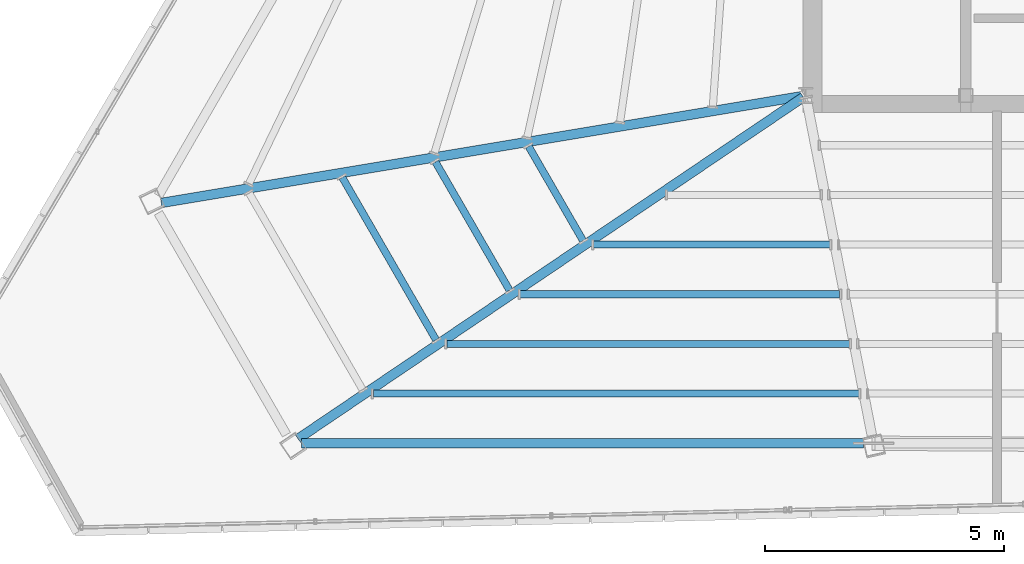
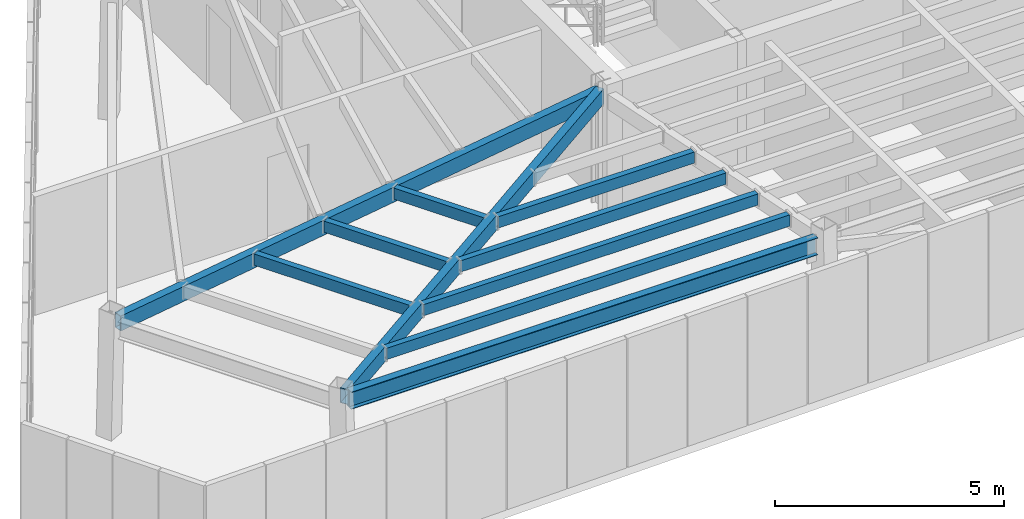
# One storey, part 6 of 47: 10 beams.
"""IFC4 building model written with IfcOpenShell, lengths in metres."""

from ifc_helpers import new_model, si_unit, direction, frame, origin, origin_2d, place, context, subcontext, project, spatial, hollow_rectangle, i_section, extrude, source, transform, mapped, material, material_profile, profile_set, type_object, type_shapes, element, save


model = new_model("IFC4")

# Units and contexts
model_context = context("Model", 3, precision=1e-05, world=origin(), true_north=direction((0.0, 1.0)))
body_context = subcontext(model_context, "Body", "Model", "MODEL_VIEW")
ifc_project = project(units=[si_unit("LENGTHUNIT", "METRE"), si_unit("AREAUNIT", "SQUARE_METRE"), si_unit("VOLUMEUNIT", "CUBIC_METRE"), si_unit("PLANEANGLEUNIT", "RADIAN"), si_unit("MASSUNIT", "GRAM", prefix="KILO")], contexts=[model_context])

# Site, building, storey
site_placement = place(None, origin())
site = spatial("IfcSite", under=ifc_project, at=site_placement, CompositionType="ELEMENT")
building_placement = place(site_placement, origin())
building = spatial("IfcBuilding", under=site, at=building_placement, Name="Caelisora Broadcast Tower", CompositionType="ELEMENT")
storey_placement = place(building_placement, frame((0.0, 0.0, 293.199951171875)))
storey = spatial("IfcBuildingStorey", under=building, at=storey_placement, Name="L77", CompositionType="ELEMENT", Elevation=293.199951171875)

# Beams
ifc_material_1 = material(Name="Steel Grade 350 (AS/NZS 1163 C350L0)", Category="steel")
ifc_material_profile_1 = material_profile(ifc_material_1, hollow_rectangle(XDim=0.199951171875, YDim=0.39990234375, WallThickness=0.012451171875, at=origin_2d()), Name="Steel Grade 350 (AS/NZS 1163 C350L0)")
ifc_profile_set_1 = profile_set([ifc_material_profile_1], Name="Steel Grade 350 (AS/NZS 1163 C350L0)")
beam_type_1 = type_object("IfcBeamType", Name="PG07", PredefinedType="BEAM", material=ifc_profile_set_1)
shared_shape_1 = source(origin(), body_context, "Body", "SweptSolid", [
    extrude(hollow_rectangle(XDim=0.199951171875, YDim=0.39990234375, WallThickness=0.012451171875, at=origin_2d()), origin(), (0.0, 0.0, 1.0), 12.7548828125),
])
beam_1_placement = place(storey_placement, frame((30.4501953125, 17.366455078125, 2.949951171875), z_axis=(-0.828422384229, -0.560103877248, 0.0), x_axis=(0.560103877248, -0.828422384229, 0.0)))
element("IfcBeam", 1, at=beam_1_placement, inside=storey, type_object=beam_type_1, Name="L77 beam PG07", PredefinedType="BEAM", context=body_context, shape_type="MappedRepresentation", body=[
    mapped(shared_shape_1, transform((0.0, 0.0, 0.0), scale=1.0)),
])
ifc_material_2 = material(Name="Steel Grade 350 (AS/NZS 3679.1)", Category="steel")
ifc_material_profile_2 = material_profile(ifc_material_2, i_section(OverallWidth=0.19091796875, OverallDepth=0.46044921875, WebThickness=0.010009765625, FlangeThickness=0.01611328125, at=origin_2d()), Name="Steel Grade 350 (AS/NZS 3679.1)")
ifc_profile_set_2 = profile_set([ifc_material_profile_2], Name="Steel Grade 350 (AS/NZS 3679.1)")
beam_type_2 = type_object("IfcBeamType", Name="PG06", PredefinedType="BEAM", material=ifc_profile_set_2)
shared_shape_2 = source(origin(), body_context, "Body", "SweptSolid", [
    extrude(i_section(OverallWidth=0.19091796875, OverallDepth=0.46044921875, WebThickness=0.010009765625, FlangeThickness=0.01611328125, at=origin_2d()), origin(), (0.0, 0.0, 1.0), 11.754150390625),
])
type_shapes(beam_type_2, [shared_shape_2])
beam_2_placement = place(storey_placement, frame((19.95263671875, 10.128173828125, 2.919921875), z_axis=(1.0, 0.0, 0.0), x_axis=(0.0, 1.0, 0.0)))
element("IfcBeam", 2, at=beam_2_placement, inside=storey, type_object=beam_type_2, Name="L77 beam PG06", PredefinedType="BEAM", context=body_context, shape_type="MappedRepresentation", body=[
    mapped(shared_shape_2, transform((0.0, 0.0, 0.0), scale=1.0)),
])
shared_shape_3 = source(origin(), body_context, "Body", "SweptSolid", [
    extrude(hollow_rectangle(XDim=0.199951171875, YDim=0.39990234375, WallThickness=0.012451171875, at=origin_2d()), origin(), (0.0, 0.0, 1.0), 13.601318359375),
])
type_shapes(beam_type_1, [shared_shape_1, shared_shape_3])
beam_3_placement = place(storey_placement, frame((30.44091796875, 17.39013671875, 2.949951171875), z_axis=(-0.986393438699, -0.164401898077, 0.0), x_axis=(0.164401898077, -0.986393438699, 0.0)))
element("IfcBeam", 3, at=beam_3_placement, inside=storey, type_object=beam_type_1, Name="L77 beam PG07", PredefinedType="BEAM", context=body_context, shape_type="MappedRepresentation", body=[
    mapped(shared_shape_3, transform((0.0, 0.0, 0.0), scale=1.0)),
])
ifc_material_profile_3 = material_profile(ifc_material_1, hollow_rectangle(XDim=0.14990234375, YDim=0.300048828125, WallThickness=0.010009765625, at=origin_2d()), Name="Steel Grade 350 (AS/NZS 1163 C350L0)")
ifc_profile_set_3 = profile_set([ifc_material_profile_3], Name="Steel Grade 350 (AS/NZS 1163 C350L0)")
beam_type_3 = type_object("IfcBeamType", Name="SB05", PredefinedType="JOIST", material=ifc_profile_set_3)
shared_shape_4 = source(origin(), body_context, "Body", "SweptSolid", [
    extrude(hollow_rectangle(XDim=0.14990234375, YDim=0.300048828125, WallThickness=0.010009765625, at=origin_2d()), origin(), (0.0, 0.0, 1.0), 2.272216796875),
])
beam_4_placement = place(storey_placement, frame((24.705810546875, 16.335693359375, 3.0), z_axis=(0.499964285679, -0.866046022475, 0.0), x_axis=(0.866046022475, 0.499964285679, 0.0)))
element("IfcBeam", 4, at=beam_4_placement, inside=storey, type_object=beam_type_3, Name="L77 beam SB05", PredefinedType="JOIST", context=body_context, shape_type="MappedRepresentation", body=[
    mapped(shared_shape_4, transform((0.0, 0.0, 0.0), scale=1.0)),
])
shared_shape_5 = source(origin(), body_context, "Body", "SweptSolid", [
    extrude(hollow_rectangle(XDim=0.14990234375, YDim=0.300048828125, WallThickness=0.010009765625, at=origin_2d()), origin(), (0.0, 0.0, 1.0), 3.0966796875),
])
beam_5_placement = place(storey_placement, frame((22.757080078125, 16.010986328125, 3.0), z_axis=(0.499988605523, -0.866031982289, 0.0), x_axis=(0.866031982289, 0.499988605523, 0.0)))
element("IfcBeam", 5, at=beam_5_placement, inside=storey, type_object=beam_type_3, Name="L77 beam SB05", PredefinedType="JOIST", context=body_context, shape_type="MappedRepresentation", body=[
    mapped(shared_shape_5, transform((0.0, 0.0, 0.0), scale=1.0)),
])
shared_shape_6 = source(origin(), body_context, "Body", "SweptSolid", [
    extrude(hollow_rectangle(XDim=0.14990234375, YDim=0.300048828125, WallThickness=0.010009765625, at=origin_2d()), origin(), (0.0, 0.0, 1.0), 3.92138671875),
])
beam_6_placement = place(storey_placement, frame((20.808349609375, 15.68603515625, 3.0), z_axis=(0.500002696854, -0.866023846749, 0.0), x_axis=(0.866023846749, 0.500002696854, 0.0)))
element("IfcBeam", 6, at=beam_6_placement, inside=storey, type_object=beam_type_3, Name="L77 beam SB05", PredefinedType="JOIST", context=body_context, shape_type="MappedRepresentation", body=[
    mapped(shared_shape_6, transform((0.0, 0.0, 0.0), scale=1.0)),
])
shared_shape_7 = source(origin(), body_context, "Body", "SweptSolid", [
    extrude(hollow_rectangle(XDim=0.14990234375, YDim=0.300048828125, WallThickness=0.010009765625, at=origin_2d()), origin(), (0.0, 0.0, 1.0), 4.94140625),
])
beam_7_placement = place(storey_placement, frame((26.066162109375, 14.283447265625, 3.0), z_axis=(1.0, 0.0, 0.0), x_axis=(0.0, 1.0, 0.0)))
element("IfcBeam", 7, at=beam_7_placement, inside=storey, type_object=beam_type_3, Name="L77 beam SB05", PredefinedType="JOIST", context=body_context, shape_type="MappedRepresentation", body=[
    mapped(shared_shape_7, transform((0.0, 0.0, 0.0), scale=1.0)),
])
shared_shape_8 = source(origin(), body_context, "Body", "SweptSolid", [
    extrude(hollow_rectangle(XDim=0.14990234375, YDim=0.300048828125, WallThickness=0.010009765625, at=origin_2d()), origin(), (0.0, 0.0, 1.0), 6.68017578125),
])
beam_8_placement = place(storey_placement, frame((24.529541015625, 13.24462890625, 3.0), z_axis=(1.0, 0.0, 0.0), x_axis=(0.0, 1.0, 0.0)))
element("IfcBeam", 8, at=beam_8_placement, inside=storey, type_object=beam_type_3, Name="L77 beam SB05", PredefinedType="JOIST", context=body_context, shape_type="MappedRepresentation", body=[
    mapped(shared_shape_8, transform((0.0, 0.0, 0.0), scale=1.0)),
])
shared_shape_9 = source(origin(), body_context, "Body", "SweptSolid", [
    extrude(hollow_rectangle(XDim=0.14990234375, YDim=0.300048828125, WallThickness=0.010009765625, at=origin_2d()), origin(), (0.0, 0.0, 1.0), 8.41845703125),
])
beam_9_placement = place(storey_placement, frame((22.9931640625, 12.205810546875, 3.0), z_axis=(1.0, 0.0, 0.0), x_axis=(0.0, 1.0, 0.0)))
element("IfcBeam", 9, at=beam_9_placement, inside=storey, type_object=beam_type_3, Name="L77 beam SB05", PredefinedType="JOIST", context=body_context, shape_type="MappedRepresentation", body=[
    mapped(shared_shape_9, transform((0.0, 0.0, 0.0), scale=1.0)),
])
shared_shape_10 = source(origin(), body_context, "Body", "SweptSolid", [
    extrude(hollow_rectangle(XDim=0.14990234375, YDim=0.300048828125, WallThickness=0.010009765625, at=origin_2d()), origin(), (0.0, 0.0, 1.0), 10.1572265625),
])
type_shapes(beam_type_3, [shared_shape_4, shared_shape_5, shared_shape_6, shared_shape_7, shared_shape_8, shared_shape_9, shared_shape_10])
beam_10_placement = place(storey_placement, frame((21.456787109375, 11.1669921875, 3.0), z_axis=(1.0, 0.0, 0.0), x_axis=(0.0, 1.0, 0.0)))
element("IfcBeam", 10, at=beam_10_placement, inside=storey, type_object=beam_type_3, Name="L77 beam SB05", PredefinedType="JOIST", context=body_context, shape_type="MappedRepresentation", body=[
    mapped(shared_shape_10, transform((0.0, 0.0, 0.0), scale=1.0)),
])

save(model, "model.ifc")
